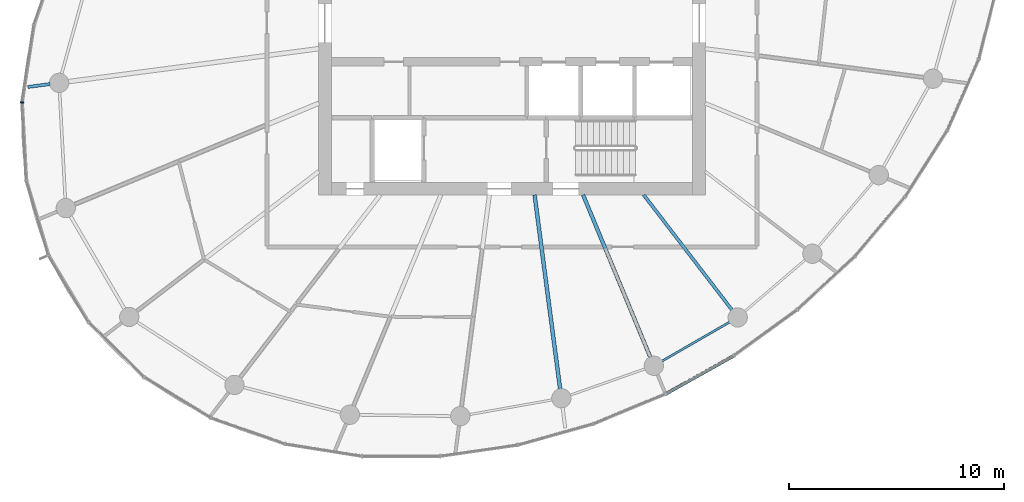
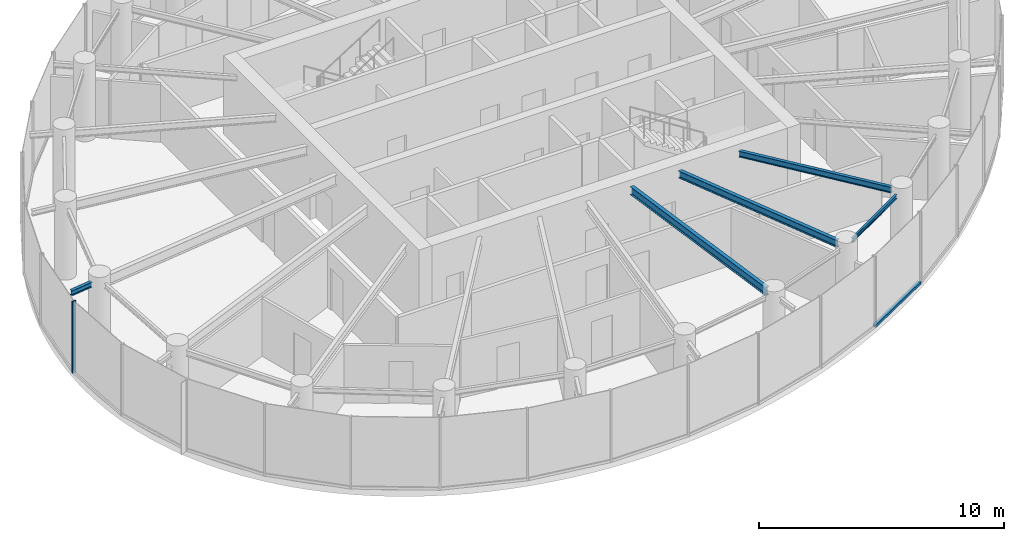
# One storey, part 3 of 14: 5 beams, 2 members, 2 elements without a shape of their own.
"""IFC4 building model written with IfcOpenShell, lengths in metres."""

from ifc_helpers import new_model, si_unit, direction, frame, origin, origin_2d, place, context, subcontext, project, spatial, rectangle, i_section, extrude, source, transform, mapped, material, layer, layer_set, material_profile, profile_set, type_object, element, aggregate, save


model = new_model("IFC4")

# Units and contexts
model_context = context("Model", 3, precision=1e-05, world=origin(), true_north=direction((0.0, 1.0)))
body_context = subcontext(model_context, "Body", "Model", "MODEL_VIEW")
ifc_project = project(units=[si_unit("LENGTHUNIT", "METRE"), si_unit("AREAUNIT", "SQUARE_METRE"), si_unit("VOLUMEUNIT", "CUBIC_METRE"), si_unit("PLANEANGLEUNIT", "RADIAN"), si_unit("MASSUNIT", "GRAM", prefix="KILO")], contexts=[model_context])

# Site, building, storey
site_placement = place(None, origin())
site = spatial("IfcSite", under=ifc_project, at=site_placement, CompositionType="ELEMENT")
building_placement = place(site_placement, origin())
building = spatial("IfcBuilding", under=site, at=building_placement, Name="Spindrift Exchange Tower", CompositionType="ELEMENT")
storey_placement = place(building_placement, frame((0.0, 0.0, 207.199951171875)))
storey = spatial("IfcBuildingStorey", under=building, at=storey_placement, Name="L50", CompositionType="ELEMENT", Elevation=207.199951171875)

# Beams
ifc_material_1 = material(Name="Steel Grade 300", Category="steel")
ifc_material_profile_1 = material_profile(ifc_material_1, i_section(OverallWidth=0.177978515625, OverallDepth=0.403076171875, WebThickness=0.007568359375, FlangeThickness=0.010986328125, FilletRadius=0.013916015625, at=origin_2d()), Name="410UB53.7")
ifc_profile_set_1 = profile_set([ifc_material_profile_1], Name="Steel Grade 300")
beam_type_1 = type_object("IfcBeamType", Name="Floor Beam 410UB53.7 Steel Grade 300", PredefinedType="BEAM", material=ifc_profile_set_1)
shared_shape_1 = source(origin(), body_context, "Body", "SweptSolid", [
    extrude(i_section(OverallWidth=0.177978515625, OverallDepth=0.403076171875, WebThickness=0.007568359375, FlangeThickness=0.010986328125, FilletRadius=0.013916015625, at=origin_2d()), origin(), (0.0, 0.0, 1.0), 9.11376953125),
])
beam_1_placement = place(storey_placement, frame((53.050537109375, 40.019775390625, 3.378662109375), z_axis=(0.130536972606, -0.991443442049, 0.0), x_axis=(0.991443442049, 0.130536972606, 0.0)))
element("IfcBeam", 1, at=beam_1_placement, inside=storey, type_object=beam_type_1, Name="L50 radial beam R19A", PredefinedType="BEAM", context=body_context, shape_type="MappedRepresentation", body=[
    mapped(shared_shape_1, transform((0.0, 0.0, 0.0), scale=1.0)),
])
ifc_material_profile_2 = material_profile(ifc_material_1, i_section(OverallWidth=0.1708984375, OverallDepth=0.35205078125, WebThickness=0.0068359375, FlangeThickness=0.009765625, FilletRadius=0.013916015625, at=origin_2d()), Name="360UB44.7")
ifc_profile_set_2 = profile_set([ifc_material_profile_2], Name="Steel Grade 300")
beam_type_2 = type_object("IfcBeamType", Name="Floor Beam 360UB44.7 Steel Grade 300", PredefinedType="BEAM", material=ifc_profile_set_2)
shared_shape_2 = source(origin(), body_context, "Body", "SweptSolid", [
    extrude(i_section(OverallWidth=0.1708984375, OverallDepth=0.35205078125, WebThickness=0.0068359375, FlangeThickness=0.009765625, FilletRadius=0.013916015625, at=origin_2d()), origin(), (0.0, 0.0, 1.0), 8.1748046875),
])
beam_2_placement = place(storey_placement, frame((55.30615234375, 40.0185546875, 3.404052734375), z_axis=(0.382655117626, -0.923891260352, 0.0), x_axis=(0.923891260352, 0.382655117626, 0.0)))
element("IfcBeam", 2, at=beam_2_placement, inside=storey, type_object=beam_type_2, Name="L50 radial beam R20A", PredefinedType="BEAM", context=body_context, shape_type="MappedRepresentation", body=[
    mapped(shared_shape_2, transform((0.0, 0.0, 0.0), scale=1.0)),
])
ifc_material_profile_3 = material_profile(ifc_material_1, i_section(OverallWidth=0.14892578125, OverallDepth=0.298095703125, WebThickness=0.005615234375, FlangeThickness=0.008056640625, FilletRadius=0.012939453125, at=origin_2d()), Name="310UB32.0")
ifc_profile_set_3 = profile_set([ifc_material_profile_3], Name="Steel Grade 300")
beam_type_3 = type_object("IfcBeamType", Name="Floor Beam 310UB32.0 Steel Grade 300", PredefinedType="BEAM", material=ifc_profile_set_3)
shared_shape_3 = source(origin(), body_context, "Body", "SweptSolid", [
    extrude(i_section(OverallWidth=0.14892578125, OverallDepth=0.298095703125, WebThickness=0.005615234375, FlangeThickness=0.008056640625, FilletRadius=0.012939453125, at=origin_2d()), origin(), (0.0, 0.0, 1.0), 6.753173828125),
])
beam_3_placement = place(storey_placement, frame((58.12646484375, 40.015869140625, 3.43115234375), z_axis=(0.608761639459, -0.793353178807, 0.0), x_axis=(0.793353178807, 0.608761639459, 0.0)))
element("IfcBeam", 3, at=beam_3_placement, inside=storey, type_object=beam_type_3, Name="L50 radial beam R21A", PredefinedType="BEAM", context=body_context, shape_type="MappedRepresentation", body=[
    mapped(shared_shape_3, transform((0.0, 0.0, 0.0), scale=1.0)),
])
ifc_material_profile_4 = material_profile(ifc_material_1, i_section(OverallWidth=0.09912109375, OverallDepth=0.197998046875, WebThickness=0.00439453125, FlangeThickness=0.007080078125, FilletRadius=0.010986328125, at=origin_2d()), Name="200UB18.2")
ifc_profile_set_4 = profile_set([ifc_material_profile_4], Name="Steel Grade 300")
beam_type_4 = type_object("IfcBeamType", Name="Edge Beam 200UB18.2 Steel Grade 300", PredefinedType="SPANDREL", material=ifc_profile_set_4)
shared_shape_4 = source(origin(), body_context, "Body", "SweptSolid", [
    extrude(i_section(OverallWidth=0.09912109375, OverallDepth=0.197998046875, WebThickness=0.00439453125, FlangeThickness=0.007080078125, FilletRadius=0.010986328125, at=origin_2d()), origin(), (0.0, 0.0, 1.0), 3.64208984375),
])
beam_4_placement = place(storey_placement, frame((58.971435546875, 32.283447265625, 3.48095703125), z_axis=(0.866364093123, 0.499412913476, 0.0), x_axis=(-0.499412913476, 0.866364093123, 0.0)))
element("IfcBeam", 4, at=beam_4_placement, inside=storey, type_object=beam_type_4, Name="L50 edge beam E20", PredefinedType="SPANDREL", context=body_context, shape_type="MappedRepresentation", body=[
    mapped(shared_shape_4, transform((0.0, 0.0, 0.0), scale=1.0)),
])
ifc_material_profile_5 = material_profile(ifc_material_1, i_section(OverallWidth=0.14599609375, OverallDepth=0.251953125, WebThickness=0.006103515625, FlangeThickness=0.008544921875, FilletRadius=0.011962890625, at=origin_2d()), Name="250UB31.4")
ifc_profile_set_5 = profile_set([ifc_material_profile_5], Name="Steel Grade 300")
beam_type_5 = type_object("IfcBeamType", Name="Cantilever Beam 250UB31.4 Steel Grade 300", PredefinedType="BEAM", material=ifc_profile_set_5)
shared_shape_5 = source(origin(), body_context, "Body", "SweptSolid", [
    extrude(i_section(OverallWidth=0.14599609375, OverallDepth=0.251953125, WebThickness=0.006103515625, FlangeThickness=0.008544921875, FilletRadius=0.011962890625, at=origin_2d()), origin(), (0.0, 0.0, 1.0), 1.0380859375),
])
beam_5_placement = place(storey_placement, frame((30.511474609375, 45.1708984375, 3.4541015625), z_axis=(-0.991446289497, -0.130515344087, 0.0), x_axis=(0.130515344087, -0.991446289497, 0.0)))
element("IfcBeam", 5, at=beam_5_placement, inside=storey, type_object=beam_type_5, Name="L50 cantilever beam R13T", PredefinedType="BEAM", context=body_context, shape_type="MappedRepresentation", body=[
    mapped(shared_shape_5, transform((0.0, 0.0, 0.0), scale=1.0)),
])

# Curtain wall, member
ifc_material_2 = material(Name="Fritted laminated glass with bronze frame", Category="glass")
ifc_layer = layer(ifc_material_2, 0.169921875)
ifc_layer_set = layer_set([ifc_layer], Name="ZONE 4 BRONZE FRITTED WALL")
curtain_wall_type = type_object("IfcCurtainWallType", Name="ZONE 4 BRONZE FRITTED WALL", PredefinedType="NOTDEFINED", material=ifc_layer_set)
curtain_wall_1_placement = place(storey_placement, origin())
curtain_wall_1 = element("IfcCurtainWall", 6, at=curtain_wall_1_placement, inside=storey, type_object=curtain_wall_type, Name="L50 Zone 4 Bronze Fritted Wall run 5", PredefinedType="NOTDEFINED")
ifc_material_3 = material(Name="Bronze anodised aluminium", Category="aluminium")
ifc_material_profile_6 = material_profile(ifc_material_3, rectangle(XDim=0.14990234375, YDim=0.125, at=origin_2d()), Name="ZONE 4 BRONZE FRITTED WALL TRANSOM 150X125")
ifc_profile_set_6 = profile_set([ifc_material_profile_6], Name="Bronze anodised aluminium")
member_type_1 = type_object("IfcMemberType", Name="ZONE 4 BRONZE FRITTED WALL TRANSOM 150X125", PredefinedType="USERDEFINED", material=ifc_profile_set_6)
shared_shape_6 = source(origin(), body_context, "Body", "SweptSolid", [
    extrude(rectangle(XDim=0.14990234375, YDim=0.125, at=origin_2d()), origin(), (0.0, 0.0, 1.0), 3.57763671875),
])
member_1_placement = place(storey_placement, frame((59.175537109375, 30.771728515625, 0.0625), z_axis=(0.872436188774, 0.488728039421, 0.0), x_axis=(-0.488728039421, 0.872436188774, 0.0)))
member_1 = element("IfcMember", 7, at=member_1_placement, type_object=member_type_1, Name="L50 transom CW-4.28", ObjectType="TRANSOM", PredefinedType="USERDEFINED", context=body_context, shape_type="MappedRepresentation", body=[
    mapped(shared_shape_6, transform((0.0, 0.0, 0.0), scale=1.0)),
])
aggregate(curtain_wall_1, [member_1])

curtain_wall_2_placement = place(storey_placement, origin())
curtain_wall_2 = element("IfcCurtainWall", 8, at=curtain_wall_2_placement, inside=storey, type_object=curtain_wall_type, Name="L50 Zone 4 Bronze Fritted Wall run 3", PredefinedType="NOTDEFINED")
ifc_material_profile_7 = material_profile(ifc_material_3, rectangle(XDim=0.06494140625, YDim=0.169921875, at=origin_2d()), Name="ZONE 4 BRONZE FRITTED WALL MULLION 65X170")
ifc_profile_set_7 = profile_set([ifc_material_profile_7], Name="Bronze anodised aluminium")
member_type_2 = type_object("IfcMemberType", Name="ZONE 4 BRONZE FRITTED WALL MULLION 65X170", PredefinedType="MULLION", material=ifc_profile_set_7)
shared_shape_7 = source(origin(), body_context, "Body", "SweptSolid", [
    extrude(rectangle(XDim=0.06494140625, YDim=0.169921875, at=origin_2d()), origin(), (0.0, 0.0, 1.0), 3.580078125),
])
member_2_placement = place(storey_placement, frame((29.2041015625, 44.3203125, 0.0), z_axis=(0.0, 0.0, 1.0), x_axis=(-0.048958139327, -0.998800831294, 0.0)))
member_2 = element("IfcMember", 9, at=member_2_placement, type_object=member_type_2, Name="L50 mullion CW-4.17", PredefinedType="MULLION", context=body_context, shape_type="MappedRepresentation", body=[
    mapped(shared_shape_7, transform((0.0, 0.0, 0.0), scale=1.0)),
])
aggregate(curtain_wall_2, [member_2])

save(model, "model.ifc")
